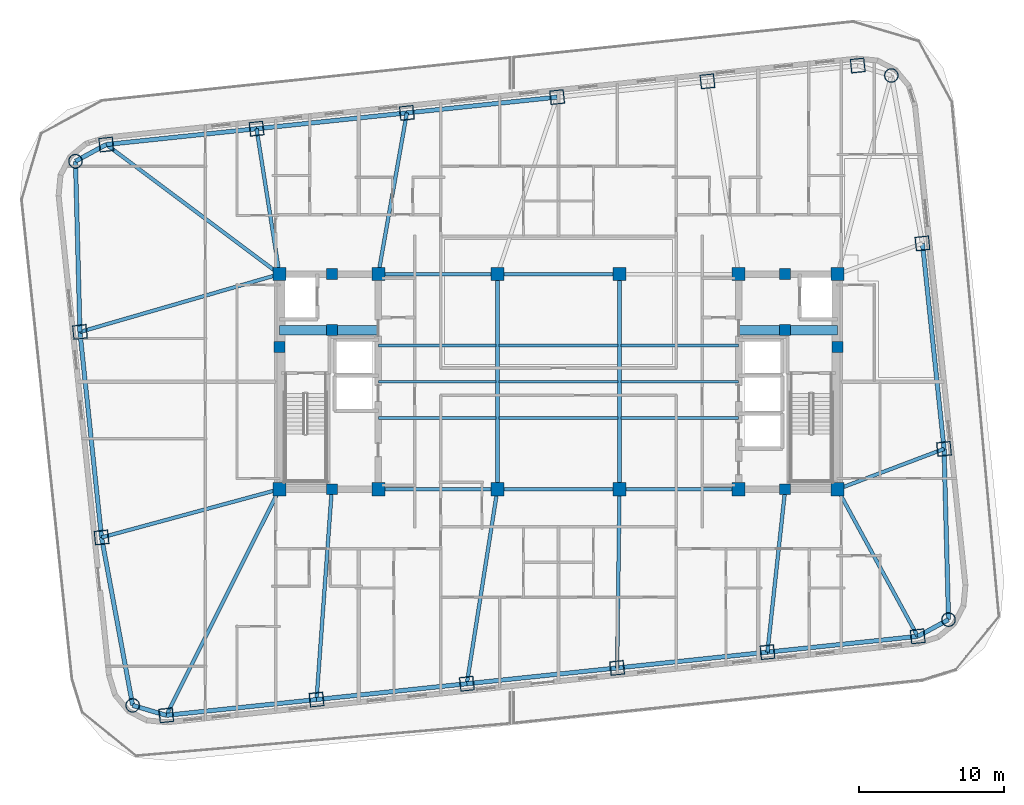
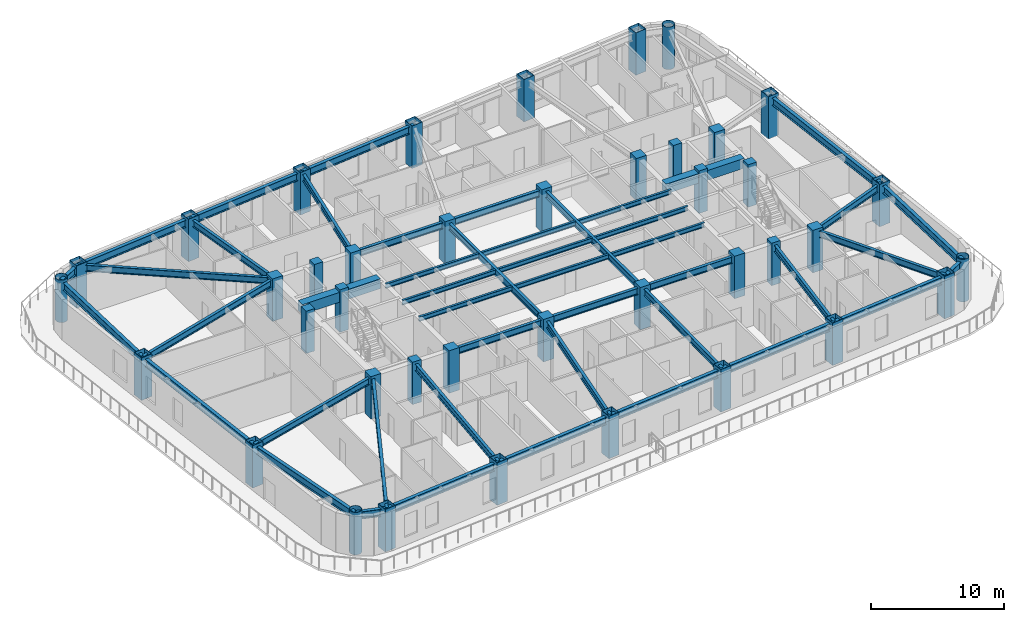
# One storey, part 1 of 15: 46 beams, 40 columns.
"""IFC4 building model written with IfcOpenShell, lengths in metres."""

from ifc_helpers import new_model, si_unit, direction, frame, origin, origin_2d, place, context, subcontext, project, spatial, rectangle, hollow_rectangle, hollow_circle, i_section, extrude, material, material_profile, profile_set, type_object, element, save


model = new_model("IFC4")

# Units and contexts
model_context = context("Model", 3, precision=1e-05, world=origin(), true_north=direction((0.0, 1.0)))
body_context = subcontext(model_context, "Body", "Model", "MODEL_VIEW")
ifc_project = project(units=[si_unit("LENGTHUNIT", "METRE"), si_unit("AREAUNIT", "SQUARE_METRE"), si_unit("VOLUMEUNIT", "CUBIC_METRE"), si_unit("PLANEANGLEUNIT", "RADIAN"), si_unit("MASSUNIT", "GRAM", prefix="KILO")], contexts=[model_context])

# Site, building, storey
site_placement = place(None, origin())
site = spatial("IfcSite", under=ifc_project, at=site_placement, CompositionType="ELEMENT")
building_placement = place(site_placement, origin())
building = spatial("IfcBuilding", under=site, at=building_placement, Name="Voryun Gate Residences", CompositionType="ELEMENT")
storey_placement = place(building_placement, frame((0.0, 0.0, 171.60009765625)))
storey = spatial("IfcBuildingStorey", under=building, at=storey_placement, Name="L42", CompositionType="ELEMENT", Elevation=171.60009765625)

# Columns
ifc_material_1 = material(Name="Concrete C50/60", Category="concrete")
ifc_material_profile_1 = material_profile(ifc_material_1, rectangle(XDim=0.75, YDim=0.75, at=origin_2d()), Name="RC-750x750")
ifc_profile_set_1 = profile_set([ifc_material_profile_1], Name="Concrete C50/60")
column_type_1 = type_object("IfcColumnType", Name="COL_CORE_750", PredefinedType="COLUMN", material=ifc_profile_set_1)
for number, where, z_axis, x_axis, name in (
    (1, (-19.199951171875, 2.39990234375, 0.0), (0.0, 0.0, 1.0), (1.0, 0.0, 0.0), "L42 Core boundary column WC-MW"),
    (2, (-15.60009765625, -7.39990234375, 0.0), (0.0, 0.0, 1.0), (1.0, 0.0, 0.0), "L42 Core boundary column WC-SM"),
    (3, (-15.60009765625, 7.39990234375, 0.0), (0.0, 0.0, 1.0), (1.0, 0.0, 0.0), "L42 Core boundary column WC-NM"),
    (4, (-15.60009765625, 3.550048828125, 0.0), (0.0, 0.0, 1.0), (1.0, 0.0, 0.0), "L42 Core boundary column WC-MM"),
    (5, (15.60009765625, 3.550048828125, 0.0), (0.0, 0.0, 1.0), (1.0, 0.0, 0.0), "L42 Core boundary column EC-MM"),
    (6, (15.60009765625, -7.39990234375, 0.0), (0.0, 0.0, 1.0), (1.0, 0.0, 0.0), "L42 Core boundary column EC-SM"),
    (7, (15.60009765625, 7.39990234375, 0.0), (0.0, 0.0, 1.0), (1.0, 0.0, 0.0), "L42 Core boundary column EC-NM"),
    (8, (19.199951171875, 2.39990234375, 0.0), (0.0, 0.0, 1.0), (1.0, 0.0, 0.0), "L42 Core boundary column EC-ME"),
):
    element("IfcColumn", number, at=place(storey_placement, frame(where, z_axis=z_axis, x_axis=x_axis)), inside=storey, type_object=column_type_1, Name=name, PredefinedType="COLUMN", context=body_context, shape_type="SweptSolid", body=[
        extrude(rectangle(XDim=0.75, YDim=0.75, at=origin_2d()), origin(), (0.0, 0.0, 1.0), 3.89990234375),
    ])
ifc_material_2 = material(Name="Concrete C50/60", Category="concrete")
ifc_material_profile_2 = material_profile(ifc_material_2, rectangle(XDim=0.89990234375, YDim=0.89990234375, at=origin_2d()), Name="RC-900x900")
ifc_profile_set_2 = profile_set([ifc_material_profile_2], Name="Concrete C50/60")
column_type_2 = type_object("IfcColumnType", Name="COL_CORE_900", PredefinedType="COLUMN", material=ifc_profile_set_2)
for number, where, z_axis, x_axis, name in (
    (9, (-19.199951171875, -7.39990234375, 0.0), (0.0, 0.0, 1.0), (1.0, 0.0, 0.0), "L42 Core boundary column WC-SW"),
    (10, (-19.199951171875, 7.39990234375, 0.0), (0.0, 0.0, 1.0), (1.0, 0.0, 0.0), "L42 Core boundary column WC-NW"),
    (11, (-12.39990234375, -7.39990234375, 0.0), (0.0, 0.0, 1.0), (1.0, 0.0, 0.0), "L42 Core boundary column WC-SE"),
    (12, (-12.39990234375, 7.39990234375, 0.0), (0.0, 0.0, 1.0), (1.0, 0.0, 0.0), "L42 Core boundary column WC-NE"),
    (13, (12.39990234375, -7.39990234375, 0.0), (0.0, 0.0, 1.0), (1.0, 0.0, 0.0), "L42 Core boundary column EC-SW"),
    (14, (12.39990234375, 7.39990234375, 0.0), (0.0, 0.0, 1.0), (1.0, 0.0, 0.0), "L42 Core boundary column EC-NW"),
    (15, (19.199951171875, -7.39990234375, 0.0), (0.0, 0.0, 1.0), (1.0, 0.0, 0.0), "L42 Core boundary column EC-SE"),
    (16, (19.199951171875, 7.39990234375, 0.0), (0.0, 0.0, 1.0), (1.0, 0.0, 0.0), "L42 Core boundary column EC-NE"),
    (17, (-4.199951171875, -7.39990234375, 0.0), (0.0, 0.0, 1.0), (1.0, 0.0, 0.0), "L42 Interior spine column SP-WS"),
    (18, (-4.199951171875, 7.39990234375, 0.0), (0.0, 0.0, 1.0), (1.0, 0.0, 0.0), "L42 Interior spine column SP-WN"),
    (19, (4.199951171875, -7.39990234375, 0.0), (0.0, 0.0, 1.0), (1.0, 0.0, 0.0), "L42 Interior spine column SP-ES"),
    (20, (4.199951171875, 7.39990234375, 0.0), (0.0, 0.0, 1.0), (1.0, 0.0, 0.0), "L42 Interior spine column SP-EN"),
):
    element("IfcColumn", number, at=place(storey_placement, frame(where, z_axis=z_axis, x_axis=x_axis)), inside=storey, type_object=column_type_2, Name=name, PredefinedType="COLUMN", context=body_context, shape_type="SweptSolid", body=[
        extrude(rectangle(XDim=0.89990234375, YDim=0.89990234375, at=origin_2d()), origin(), (0.0, 0.0, 1.0), 3.89990234375),
    ])
ifc_material_3 = material(Name="Steel SM420", Category="steel")
ifc_material_profile_3 = material_profile(ifc_material_3, hollow_circle(Radius=0.47509765625, WallThickness=0.031982421875, at=origin_2d()), Name="CHS-950x32")
ifc_profile_set_3 = profile_set([ifc_material_profile_3], Name="Steel SM420")
column_type_3 = type_object("IfcColumnType", Name="COL_CRN_950", PredefinedType="COLUMN", material=ifc_profile_set_3)
for number, where, z_axis, x_axis, name in (
    (21, (26.8408203125, -16.373779296875, 0.0), (0.0, 0.0, 1.0), (0.994521895368, 0.104528463268, 0.0), "L42 Exoskeleton column CSE"),
    (22, (22.90478515625, 21.07470703125, 0.0), (0.0, 0.0, 1.0), (0.994521895368, 0.104528463268, 0.0), "L42 Exoskeleton column CNE"),
    (23, (-33.24072265625, 15.173583984375, 0.0), (0.0, 0.0, 1.0), (0.994521895368, 0.104528463268, 0.0), "L42 Exoskeleton column CNW"),
    (24, (-29.3046875, -22.27490234375, 0.0), (0.0, 0.0, 1.0), (0.994521895368, 0.104528463268, 0.0), "L42 Exoskeleton column CSW"),
):
    element("IfcColumn", number, at=place(storey_placement, frame(where, z_axis=z_axis, x_axis=x_axis)), inside=storey, type_object=column_type_3, Name=name, PredefinedType="COLUMN", context=body_context, shape_type="SweptSolid", body=[
        extrude(hollow_circle(Radius=0.47509765625, WallThickness=0.031982421875, at=origin_2d()), origin(), (0.0, 0.0, 1.0), 3.89990234375),
    ])
ifc_material_4 = material(Name="Steel SM420", Category="steel")
ifc_material_profile_4 = material_profile(ifc_material_4, hollow_rectangle(XDim=0.949951171875, YDim=0.949951171875, WallThickness=0.031982421875, at=origin_2d()), Name="BOX-950x950x32")
ifc_profile_set_4 = profile_set([ifc_material_profile_4], Name="Steel SM420")
column_type_4 = type_object("IfcColumnType", Name="COL_EXO_B3", PredefinedType="COLUMN", material=ifc_profile_set_4)
for number, where, z_axis, x_axis, name in (
    (25, (-26.9931640625, -22.95947265625, 0.0), (0.0, 0.0, 1.0), (0.994521895368, 0.104528463268, 0.0), "L42 Exoskeleton column S1"),
    (26, (-16.650146484375, -21.87255859375, 0.0), (0.0, 0.0, 1.0), (0.994521895368, 0.104528463268, 0.0), "L42 Exoskeleton column S2"),
    (27, (-6.30712890625, -20.785400390625, 0.0), (0.0, 0.0, 1.0), (0.994521895368, 0.104528463268, 0.0), "L42 Exoskeleton column S3"),
    (28, (4.035888671875, -19.6982421875, 0.0), (0.0, 0.0, 1.0), (0.994521895368, 0.104528463268, 0.0), "L42 Exoskeleton column S4"),
    (29, (14.37890625, -18.611083984375, 0.0), (0.0, 0.0, 1.0), (0.994521895368, 0.104528463268, 0.0), "L42 Exoskeleton column S5"),
    (30, (24.721923828125, -17.524169921875, 0.0), (0.0, 0.0, 1.0), (0.994521895368, 0.104528463268, 0.0), "L42 Exoskeleton column S6"),
    (31, (26.533447265625, -4.6240234375, 0.0), (0.0, 0.0, 1.0), (0.994521895368, 0.104528463268, 0.0), "L42 Exoskeleton column E1"),
    (32, (25.047119140625, 9.51806640625, 0.0), (0.0, 0.0, 1.0), (0.994521895368, 0.104528463268, 0.0), "L42 Exoskeleton column E2"),
    (33, (20.593017578125, 21.759521484375, 0.0), (0.0, 0.0, 1.0), (0.994521895368, 0.104528463268, 0.0), "L42 Exoskeleton column N1"),
    (34, (10.25, 20.67236328125, 0.0), (0.0, 0.0, 1.0), (0.994521895368, 0.104528463268, 0.0), "L42 Exoskeleton column N2"),
    (35, (-0.093017578125, 19.58544921875, 0.0), (0.0, 0.0, 1.0), (0.994521895368, 0.104528463268, 0.0), "L42 Exoskeleton column N3"),
    (36, (-10.43603515625, 18.498291015625, 0.0), (0.0, 0.0, 1.0), (0.994521895368, 0.104528463268, 0.0), "L42 Exoskeleton column N4"),
    (37, (-20.779052734375, 17.4111328125, 0.0), (0.0, 0.0, 1.0), (0.994521895368, 0.104528463268, 0.0), "L42 Exoskeleton column N5"),
    (38, (-31.1220703125, 16.323974609375, 0.0), (0.0, 0.0, 1.0), (0.994521895368, 0.104528463268, 0.0), "L42 Exoskeleton column N6"),
    (39, (-32.93359375, 3.424072265625, 0.0), (0.0, 0.0, 1.0), (0.994521895368, 0.104528463268, 0.0), "L42 Exoskeleton column W1"),
    (40, (-31.447021484375, -10.718017578125, 0.0), (0.0, 0.0, 1.0), (0.994521895368, 0.104528463268, 0.0), "L42 Exoskeleton column W2"),
):
    element("IfcColumn", number, at=place(storey_placement, frame(where, z_axis=z_axis, x_axis=x_axis)), inside=storey, type_object=column_type_4, Name=name, PredefinedType="COLUMN", context=body_context, shape_type="SweptSolid", body=[
        extrude(hollow_rectangle(XDim=0.949951171875, YDim=0.949951171875, WallThickness=0.031982421875, at=origin_2d()), origin(), (0.0, 0.0, 1.0), 3.89990234375),
    ])

# Beams
ifc_material_5 = material(Name="Concrete C60/75", Category="concrete")
ifc_material_profile_5 = material_profile(ifc_material_5, rectangle(XDim=0.64990234375, YDim=0.89990234375, at=origin_2d()), Name="RC-650x900")
ifc_profile_set_5 = profile_set([ifc_material_profile_5], Name="Concrete C60/75")
beam_type_1 = type_object("IfcBeamType", Name="BM_COUP_RC900", PredefinedType="LINTEL", material=ifc_profile_set_5)
for number, where, z_axis, x_axis, name in (
    (41, (-19.199951171875, 3.550048828125, 3.199951171875), (1.0, 0.0, 0.0), (0.0, 1.0, 0.0), "BM-L42-WC1"),
    (42, (12.39990234375, 3.550048828125, 3.199951171875), (1.0, 0.0, 0.0), (0.0, 1.0, 0.0), "BM-L42-EC1"),
):
    element("IfcBeam", number, at=place(storey_placement, frame(where, z_axis=z_axis, x_axis=x_axis)), inside=storey, type_object=beam_type_1, Name=name, PredefinedType="LINTEL", context=body_context, shape_type="SweptSolid", body=[
        extrude(rectangle(XDim=0.64990234375, YDim=0.89990234375, at=origin_2d()), origin(), (0.0, 0.0, 1.0), 6.800048828125),
    ])
ifc_material_6 = material(Name="Steel SM355", Category="steel")
ifc_material_profile_6 = material_profile(ifc_material_6, i_section(OverallWidth=0.300048828125, OverallDepth=0.679931640625, WebThickness=0.013916015625, FlangeThickness=0.02490234375, FilletRadius=0.01806640625, at=origin_2d()), Name="H-680x300x14x25")
ifc_profile_set_6 = profile_set([ifc_material_profile_6], Name="Steel SM355")
beam_type_2 = type_object("IfcBeamType", Name="BM_EXO_SPANDREL_M", PredefinedType="SPANDREL", material=ifc_profile_set_6)
for number, where, z_axis, x_axis, name in (
    (43, (-26.9931640625, -22.95947265625, 3.309814453125), (0.99452370336, 0.10451125994, 0.0), (-0.10451125994, 0.99452370336, 0.0), "BM-L42-SPAND-01"),
    (44, (-16.650146484375, -21.87255859375, 3.309814453125), (0.994521263116, 0.104534478571, 0.0), (-0.104534478571, 0.994521263116, 0.0), "BM-L42-SPAND-02"),
    (45, (-6.30712890625, -20.785400390625, 3.309814453125), (0.994521263116, 0.104534478571, 0.0), (-0.104534478571, 0.994521263116, 0.0), "BM-L42-SPAND-03"),
    (46, (4.035888671875, -19.6982421875, 3.309814453125), (0.994521263116, 0.104534478571, 0.0), (-0.104534478571, 0.994521263116, 0.0), "BM-L42-SPAND-04"),
    (47, (14.37890625, -18.611083984375, 3.309814453125), (0.99452370336, 0.10451125994, 0.0), (-0.10451125994, 0.99452370336, 0.0), "BM-L42-SPAND-05"),
):
    element("IfcBeam", number, at=place(storey_placement, frame(where, z_axis=z_axis, x_axis=x_axis)), inside=storey, type_object=beam_type_2, Name=name, PredefinedType="SPANDREL", context=body_context, shape_type="SweptSolid", body=[
        extrude(i_section(OverallWidth=0.300048828125, OverallDepth=0.679931640625, WebThickness=0.013916015625, FlangeThickness=0.02490234375, FilletRadius=0.01806640625, at=origin_2d()), origin(), (0.0, 0.0, 1.0), 10.39990234375),
    ])
beam_1_placement = place(storey_placement, frame((24.721923828125, -17.524169921875, 3.309814453125), z_axis=(0.878830382314, 0.477134319791, 0.0), x_axis=(-0.477134319791, 0.878830382314, 0.0)))
element("IfcBeam", 48, at=beam_1_placement, inside=storey, type_object=beam_type_2, Name="BM-L42-SPAND-06", PredefinedType="SPANDREL", context=body_context, shape_type="SweptSolid", body=[
    extrude(i_section(OverallWidth=0.300048828125, OverallDepth=0.679931640625, WebThickness=0.013916015625, FlangeThickness=0.02490234375, FilletRadius=0.01806640625, at=origin_2d()), origin(), (0.0, 0.0, 1.0), 2.4111328125),
])
beam_2_placement = place(storey_placement, frame((26.8408203125, -16.373779296875, 3.309814453125), z_axis=(-0.026151005195, 0.999658003983, 0.0), x_axis=(-0.999658003983, -0.026151005195, 0.0)))
element("IfcBeam", 49, at=beam_2_placement, inside=storey, type_object=beam_type_2, Name="BM-L42-SPAND-07", PredefinedType="SPANDREL", context=body_context, shape_type="SweptSolid", body=[
    extrude(i_section(OverallWidth=0.300048828125, OverallDepth=0.679931640625, WebThickness=0.013916015625, FlangeThickness=0.02490234375, FilletRadius=0.01806640625, at=origin_2d()), origin(), (0.0, 0.0, 1.0), 11.753662109375),
])
beam_3_placement = place(storey_placement, frame((26.533447265625, -4.6240234375, 3.309814453125), z_axis=(-0.104523913446, 0.994522373563, 0.0), x_axis=(-0.994522373563, -0.104523913446, 0.0)))
element("IfcBeam", 50, at=beam_3_placement, inside=storey, type_object=beam_type_2, Name="BM-L42-SPAND-08", PredefinedType="SPANDREL", context=body_context, shape_type="SweptSolid", body=[
    extrude(i_section(OverallWidth=0.300048828125, OverallDepth=0.679931640625, WebThickness=0.013916015625, FlangeThickness=0.02490234375, FilletRadius=0.01806640625, at=origin_2d()), origin(), (0.0, 0.0, 1.0), 14.219970703125),
])
for number, where, z_axis, x_axis, name in (
    (51, (-0.093017578125, 19.58544921875, 3.309814453125), (-0.994521263116, -0.104534478571, 0.0), (0.104534478571, -0.994521263116, 0.0), "BM-L42-SPAND-13"),
    (52, (-10.43603515625, 18.498291015625, 3.309814453125), (-0.994521263116, -0.104534478571, 0.0), (0.104534478571, -0.994521263116, 0.0), "BM-L42-SPAND-14"),
    (53, (-20.779052734375, 17.4111328125, 3.309814453125), (-0.994521263116, -0.104534478571, 0.0), (0.104534478571, -0.994521263116, 0.0), "BM-L42-SPAND-15"),
):
    element("IfcBeam", number, at=place(storey_placement, frame(where, z_axis=z_axis, x_axis=x_axis)), inside=storey, type_object=beam_type_2, Name=name, PredefinedType="SPANDREL", context=body_context, shape_type="SweptSolid", body=[
        extrude(i_section(OverallWidth=0.300048828125, OverallDepth=0.679931640625, WebThickness=0.013916015625, FlangeThickness=0.02490234375, FilletRadius=0.01806640625, at=origin_2d()), origin(), (0.0, 0.0, 1.0), 10.39990234375),
    ])
beam_4_placement = place(storey_placement, frame((-31.1220703125, 16.323974609375, 3.309814453125), z_axis=(-0.878807326808, -0.47717678312, 0.0), x_axis=(0.47717678312, -0.878807326808, 0.0)))
element("IfcBeam", 54, at=beam_4_placement, inside=storey, type_object=beam_type_2, Name="BM-L42-SPAND-16", PredefinedType="SPANDREL", context=body_context, shape_type="SweptSolid", body=[
    extrude(i_section(OverallWidth=0.300048828125, OverallDepth=0.679931640625, WebThickness=0.013916015625, FlangeThickness=0.02490234375, FilletRadius=0.01806640625, at=origin_2d()), origin(), (0.0, 0.0, 1.0), 2.410888671875),
])
beam_5_placement = place(storey_placement, frame((-33.24072265625, 15.173583984375, 3.309814453125), z_axis=(0.026130790716, -0.999658532588, 0.0), x_axis=(0.999658532588, 0.026130790716, 0.0)))
element("IfcBeam", 55, at=beam_5_placement, inside=storey, type_object=beam_type_2, Name="BM-L42-SPAND-17", PredefinedType="SPANDREL", context=body_context, shape_type="SweptSolid", body=[
    extrude(i_section(OverallWidth=0.300048828125, OverallDepth=0.679931640625, WebThickness=0.013916015625, FlangeThickness=0.02490234375, FilletRadius=0.01806640625, at=origin_2d()), origin(), (0.0, 0.0, 1.0), 11.75341796875),
])
beam_6_placement = place(storey_placement, frame((-32.93359375, 3.424072265625, 3.309814453125), z_axis=(0.104540894669, -0.994520588697, 0.0), x_axis=(0.994520588697, 0.104540894669, 0.0)))
element("IfcBeam", 56, at=beam_6_placement, inside=storey, type_object=beam_type_2, Name="BM-L42-SPAND-18", PredefinedType="SPANDREL", context=body_context, shape_type="SweptSolid", body=[
    extrude(i_section(OverallWidth=0.300048828125, OverallDepth=0.679931640625, WebThickness=0.013916015625, FlangeThickness=0.02490234375, FilletRadius=0.01806640625, at=origin_2d()), origin(), (0.0, 0.0, 1.0), 14.219970703125),
])
beam_7_placement = place(storey_placement, frame((-31.447021484375, -10.718017578125, 3.309814453125), z_axis=(0.182267768769, -0.983248931079, 0.0), x_axis=(0.983248931079, 0.182267768769, 0.0)))
element("IfcBeam", 57, at=beam_7_placement, inside=storey, type_object=beam_type_2, Name="BM-L42-SPAND-19", PredefinedType="SPANDREL", context=body_context, shape_type="SweptSolid", body=[
    extrude(i_section(OverallWidth=0.300048828125, OverallDepth=0.679931640625, WebThickness=0.013916015625, FlangeThickness=0.02490234375, FilletRadius=0.01806640625, at=origin_2d()), origin(), (0.0, 0.0, 1.0), 11.753662109375),
])
beam_8_placement = place(storey_placement, frame((-29.3046875, -22.27490234375, 3.309814453125), z_axis=(0.958834884093, -0.283964196768, 0.0), x_axis=(0.283964196768, 0.958834884093, 0.0)))
element("IfcBeam", 58, at=beam_8_placement, inside=storey, type_object=beam_type_2, Name="BM-L42-SPAND-20", PredefinedType="SPANDREL", context=body_context, shape_type="SweptSolid", body=[
    extrude(i_section(OverallWidth=0.300048828125, OverallDepth=0.679931640625, WebThickness=0.013916015625, FlangeThickness=0.02490234375, FilletRadius=0.01806640625, at=origin_2d()), origin(), (0.0, 0.0, 1.0), 2.41064453125),
])
ifc_material_7 = material(Name="Steel SM355", Category="steel")
ifc_material_profile_7 = material_profile(ifc_material_7, i_section(OverallWidth=0.25, OverallDepth=0.60009765625, WebThickness=0.011962890625, FlangeThickness=0.02197265625, FilletRadius=0.01806640625, at=origin_2d()), Name="H-600x250x12x22")
ifc_profile_set_7 = profile_set([ifc_material_profile_7], Name="Steel SM355")
beam_type_3 = type_object("IfcBeamType", Name="BM_GIRD_600", PredefinedType="USERDEFINED", material=ifc_profile_set_7)
beam_9_placement = place(storey_placement, frame((-12.39990234375, -7.39990234375, 3.349853515625), z_axis=(1.0, 0.0, 0.0), x_axis=(0.0, 1.0, 0.0)))
element("IfcBeam", 59, at=beam_9_placement, inside=storey, type_object=beam_type_3, Name="BM-L42-SPG1-S", ObjectType="GIRDER", PredefinedType="USERDEFINED", context=body_context, shape_type="SweptSolid", body=[
    extrude(i_section(OverallWidth=0.25, OverallDepth=0.60009765625, WebThickness=0.011962890625, FlangeThickness=0.02197265625, FilletRadius=0.01806640625, at=origin_2d()), origin(), (0.0, 0.0, 1.0), 8.199951171875),
])
beam_10_placement = place(storey_placement, frame((-4.199951171875, -7.39990234375, 3.349853515625), z_axis=(1.0, 0.0, 0.0), x_axis=(0.0, 1.0, 0.0)))
element("IfcBeam", 60, at=beam_10_placement, inside=storey, type_object=beam_type_3, Name="BM-L42-SPG2-S", ObjectType="GIRDER", PredefinedType="USERDEFINED", context=body_context, shape_type="SweptSolid", body=[
    extrude(i_section(OverallWidth=0.25, OverallDepth=0.60009765625, WebThickness=0.011962890625, FlangeThickness=0.02197265625, FilletRadius=0.01806640625, at=origin_2d()), origin(), (0.0, 0.0, 1.0), 8.39990234375),
])
for number, where, z_axis, x_axis, name in (
    (61, (4.199951171875, -7.39990234375, 3.349853515625), (1.0, 0.0, 0.0), (0.0, 1.0, 0.0), "BM-L42-SPG3-S"),
    (62, (-12.39990234375, 7.39990234375, 3.349853515625), (1.0, 0.0, 0.0), (0.0, 1.0, 0.0), "BM-L42-SPG1-N"),
):
    element("IfcBeam", number, at=place(storey_placement, frame(where, z_axis=z_axis, x_axis=x_axis)), inside=storey, type_object=beam_type_3, Name=name, ObjectType="GIRDER", PredefinedType="USERDEFINED", context=body_context, shape_type="SweptSolid", body=[
        extrude(i_section(OverallWidth=0.25, OverallDepth=0.60009765625, WebThickness=0.011962890625, FlangeThickness=0.02197265625, FilletRadius=0.01806640625, at=origin_2d()), origin(), (0.0, 0.0, 1.0), 8.199951171875),
    ])
beam_11_placement = place(storey_placement, frame((-4.199951171875, 7.39990234375, 3.349853515625), z_axis=(1.0, 0.0, 0.0), x_axis=(0.0, 1.0, 0.0)))
element("IfcBeam", 63, at=beam_11_placement, inside=storey, type_object=beam_type_3, Name="BM-L42-SPG2-N", ObjectType="GIRDER", PredefinedType="USERDEFINED", context=body_context, shape_type="SweptSolid", body=[
    extrude(i_section(OverallWidth=0.25, OverallDepth=0.60009765625, WebThickness=0.011962890625, FlangeThickness=0.02197265625, FilletRadius=0.01806640625, at=origin_2d()), origin(), (0.0, 0.0, 1.0), 8.39990234375),
])
for number, where, z_axis, x_axis, name in (
    (64, (-4.199951171875, -7.39990234375, 3.349853515625), (0.0, 1.0, 0.0), (-1.0, 0.0, 0.0), "BM-L42-SPX-W"),
    (65, (4.199951171875, -7.39990234375, 3.349853515625), (0.0, 1.0, 0.0), (-1.0, 0.0, 0.0), "BM-L42-SPX-E"),
):
    element("IfcBeam", number, at=place(storey_placement, frame(where, z_axis=z_axis, x_axis=x_axis)), inside=storey, type_object=beam_type_3, Name=name, ObjectType="GIRDER", PredefinedType="USERDEFINED", context=body_context, shape_type="SweptSolid", body=[
        extrude(i_section(OverallWidth=0.25, OverallDepth=0.60009765625, WebThickness=0.011962890625, FlangeThickness=0.02197265625, FilletRadius=0.01806640625, at=origin_2d()), origin(), (0.0, 0.0, 1.0), 14.7998046875),
    ])
beam_12_placement = place(storey_placement, frame((-19.199951171875, -7.39990234375, 3.349853515625), z_axis=(-0.447830780254, -0.894118332357, 0.0), x_axis=(0.894118332357, -0.447830780254, 0.0)))
element("IfcBeam", 66, at=beam_12_placement, inside=storey, type_object=beam_type_3, Name="BM-L42-RAD-S1", ObjectType="GIRDER", PredefinedType="USERDEFINED", context=body_context, shape_type="SweptSolid", body=[
    extrude(i_section(OverallWidth=0.25, OverallDepth=0.60009765625, WebThickness=0.011962890625, FlangeThickness=0.02197265625, FilletRadius=0.01806640625, at=origin_2d()), origin(), (0.0, 0.0, 1.0), 17.402099609375),
])
beam_13_placement = place(storey_placement, frame((-15.60009765625, -7.39990234375, 3.349853515625), z_axis=(-0.072363766769, -0.99737830599, 0.0), x_axis=(0.99737830599, -0.072363766769, 0.0)))
element("IfcBeam", 67, at=beam_13_placement, inside=storey, type_object=beam_type_3, Name="BM-L42-RAD-S2", ObjectType="GIRDER", PredefinedType="USERDEFINED", context=body_context, shape_type="SweptSolid", body=[
    extrude(i_section(OverallWidth=0.25, OverallDepth=0.60009765625, WebThickness=0.011962890625, FlangeThickness=0.02197265625, FilletRadius=0.01806640625, at=origin_2d()), origin(), (0.0, 0.0, 1.0), 14.5107421875),
])
beam_14_placement = place(storey_placement, frame((-4.199951171875, -7.39990234375, 3.349853515625), z_axis=(-0.155507352157, -0.987834734875, 0.0), x_axis=(0.987834734875, -0.155507352157, 0.0)))
element("IfcBeam", 68, at=beam_14_placement, inside=storey, type_object=beam_type_3, Name="BM-L42-RAD-S3", ObjectType="GIRDER", PredefinedType="USERDEFINED", context=body_context, shape_type="SweptSolid", body=[
    extrude(i_section(OverallWidth=0.25, OverallDepth=0.60009765625, WebThickness=0.011962890625, FlangeThickness=0.02197265625, FilletRadius=0.01806640625, at=origin_2d()), origin(), (0.0, 0.0, 1.0), 13.55029296875),
])
beam_15_placement = place(storey_placement, frame((4.199951171875, -7.39990234375, 3.349853515625), z_axis=(-0.013339028327, -0.999911031204, 0.0), x_axis=(0.999911031204, -0.013339028327, 0.0)))
element("IfcBeam", 69, at=beam_15_placement, inside=storey, type_object=beam_type_3, Name="BM-L42-RAD-S4", ObjectType="GIRDER", PredefinedType="USERDEFINED", context=body_context, shape_type="SweptSolid", body=[
    extrude(i_section(OverallWidth=0.25, OverallDepth=0.60009765625, WebThickness=0.011962890625, FlangeThickness=0.02197265625, FilletRadius=0.01806640625, at=origin_2d()), origin(), (0.0, 0.0, 1.0), 12.29931640625),
])
beam_16_placement = place(storey_placement, frame((15.60009765625, -7.39990234375, 3.349853515625), z_axis=(-0.108285693252, -0.994119816037, 0.0), x_axis=(0.994119816037, -0.108285693252, 0.0)))
element("IfcBeam", 70, at=beam_16_placement, inside=storey, type_object=beam_type_3, Name="BM-L42-RAD-S5", ObjectType="GIRDER", PredefinedType="USERDEFINED", context=body_context, shape_type="SweptSolid", body=[
    extrude(i_section(OverallWidth=0.25, OverallDepth=0.60009765625, WebThickness=0.011962890625, FlangeThickness=0.02197265625, FilletRadius=0.01806640625, at=origin_2d()), origin(), (0.0, 0.0, 1.0), 11.277587890625),
])
beam_17_placement = place(storey_placement, frame((19.199951171875, -7.39990234375, 3.349853515625), z_axis=(0.478828398266, -0.877908517451, 0.0), x_axis=(0.877908517451, 0.478828398266, 0.0)))
element("IfcBeam", 71, at=beam_17_placement, inside=storey, type_object=beam_type_3, Name="BM-L42-RAD-S6", ObjectType="GIRDER", PredefinedType="USERDEFINED", context=body_context, shape_type="SweptSolid", body=[
    extrude(i_section(OverallWidth=0.25, OverallDepth=0.60009765625, WebThickness=0.011962890625, FlangeThickness=0.02197265625, FilletRadius=0.01806640625, at=origin_2d()), origin(), (0.0, 0.0, 1.0), 11.5322265625),
])
beam_18_placement = place(storey_placement, frame((19.199951171875, -7.39990234375, 3.349853515625), z_axis=(0.93524224301, 0.354008399462, 0.0), x_axis=(-0.354008399462, 0.93524224301, 0.0)))
element("IfcBeam", 72, at=beam_18_placement, inside=storey, type_object=beam_type_3, Name="BM-L42-RAD-E1", ObjectType="GIRDER", PredefinedType="USERDEFINED", context=body_context, shape_type="SweptSolid", body=[
    extrude(i_section(OverallWidth=0.25, OverallDepth=0.60009765625, WebThickness=0.011962890625, FlangeThickness=0.02197265625, FilletRadius=0.01806640625, at=origin_2d()), origin(), (0.0, 0.0, 1.0), 7.84130859375),
])
beam_19_placement = place(storey_placement, frame((-12.39990234375, 7.39990234375, 3.349853515625), z_axis=(0.174243764839, 0.984702549207, 0.0), x_axis=(-0.984702549207, 0.174243764839, 0.0)))
element("IfcBeam", 73, at=beam_19_placement, inside=storey, type_object=beam_type_3, Name="BM-L42-RAD-N4", ObjectType="GIRDER", PredefinedType="USERDEFINED", context=body_context, shape_type="SweptSolid", body=[
    extrude(i_section(OverallWidth=0.25, OverallDepth=0.60009765625, WebThickness=0.011962890625, FlangeThickness=0.02197265625, FilletRadius=0.01806640625, at=origin_2d()), origin(), (0.0, 0.0, 1.0), 11.270751953125),
])
beam_20_placement = place(storey_placement, frame((-19.199951171875, 7.39990234375, 3.349853515625), z_axis=(-0.155806710133, 0.987787562727, 0.0), x_axis=(-0.987787562727, -0.155806710133, 0.0)))
element("IfcBeam", 74, at=beam_20_placement, inside=storey, type_object=beam_type_3, Name="BM-L42-RAD-N5", ObjectType="GIRDER", PredefinedType="USERDEFINED", context=body_context, shape_type="SweptSolid", body=[
    extrude(i_section(OverallWidth=0.25, OverallDepth=0.60009765625, WebThickness=0.011962890625, FlangeThickness=0.02197265625, FilletRadius=0.01806640625, at=origin_2d()), origin(), (0.0, 0.0, 1.0), 10.135009765625),
])
beam_21_placement = place(storey_placement, frame((-19.199951171875, 7.39990234375, 3.349853515625), z_axis=(-0.800564252374, 0.599246925583, 0.0), x_axis=(-0.599246925583, -0.800564252374, 0.0)))
element("IfcBeam", 75, at=beam_21_placement, inside=storey, type_object=beam_type_3, Name="BM-L42-RAD-N6", ObjectType="GIRDER", PredefinedType="USERDEFINED", context=body_context, shape_type="SweptSolid", body=[
    extrude(i_section(OverallWidth=0.25, OverallDepth=0.60009765625, WebThickness=0.011962890625, FlangeThickness=0.02197265625, FilletRadius=0.01806640625, at=origin_2d()), origin(), (0.0, 0.0, 1.0), 14.89208984375),
])
beam_22_placement = place(storey_placement, frame((-19.199951171875, 7.39990234375, 3.349853515625), z_axis=(-0.960558623239, -0.278077563498, 0.0), x_axis=(0.278077563498, -0.960558623239, 0.0)))
element("IfcBeam", 76, at=beam_22_placement, inside=storey, type_object=beam_type_3, Name="BM-L42-RAD-W1", ObjectType="GIRDER", PredefinedType="USERDEFINED", context=body_context, shape_type="SweptSolid", body=[
    extrude(i_section(OverallWidth=0.25, OverallDepth=0.60009765625, WebThickness=0.011962890625, FlangeThickness=0.02197265625, FilletRadius=0.01806640625, at=origin_2d()), origin(), (0.0, 0.0, 1.0), 14.297607421875),
])
beam_23_placement = place(storey_placement, frame((-19.199951171875, -7.39990234375, 3.349853515625), z_axis=(-0.965202497616, -0.261503611058, 0.0), x_axis=(0.261503611058, -0.965202497616, 0.0)))
element("IfcBeam", 77, at=beam_23_placement, inside=storey, type_object=beam_type_3, Name="BM-L42-RAD-W2", ObjectType="GIRDER", PredefinedType="USERDEFINED", context=body_context, shape_type="SweptSolid", body=[
    extrude(i_section(OverallWidth=0.25, OverallDepth=0.60009765625, WebThickness=0.011962890625, FlangeThickness=0.02197265625, FilletRadius=0.01806640625, at=origin_2d()), origin(), (0.0, 0.0, 1.0), 12.688720703125),
])
ifc_material_8 = material(Name="Steel SM355", Category="steel")
ifc_material_profile_8 = material_profile(ifc_material_8, i_section(OverallWidth=0.18994140625, OverallDepth=0.419921875, WebThickness=0.009033203125, FlangeThickness=0.01611328125, FilletRadius=0.01806640625, at=origin_2d()), Name="H-420x190x9x16")
ifc_profile_set_8 = profile_set([ifc_material_profile_8], Name="Steel SM355")
beam_type_4 = type_object("IfcBeamType", Name="BM_SEC_420", PredefinedType="BEAM", material=ifc_profile_set_8)
beam_24_placement = place(storey_placement, frame((-12.39990234375, -2.5, 3.43994140625), z_axis=(1.0, 0.0, 0.0), x_axis=(0.0, 1.0, 0.0)))
element("IfcBeam", 78, at=beam_24_placement, inside=storey, type_object=beam_type_4, Name="BM-L42-SEC-CS1", PredefinedType="BEAM", context=body_context, shape_type="SweptSolid", body=[
    extrude(i_section(OverallWidth=0.18994140625, OverallDepth=0.419921875, WebThickness=0.009033203125, FlangeThickness=0.01611328125, FilletRadius=0.01806640625, at=origin_2d()), origin(), (0.0, 0.0, 1.0), 8.099853515625),
])
beam_25_placement = place(storey_placement, frame((-4.10009765625, -2.5, 3.43994140625), z_axis=(1.0, 0.0, 0.0), x_axis=(0.0, 1.0, 0.0)))
element("IfcBeam", 79, at=beam_25_placement, inside=storey, type_object=beam_type_4, Name="BM-L42-SEC-CS2", PredefinedType="BEAM", context=body_context, shape_type="SweptSolid", body=[
    extrude(i_section(OverallWidth=0.18994140625, OverallDepth=0.419921875, WebThickness=0.009033203125, FlangeThickness=0.01611328125, FilletRadius=0.01806640625, at=origin_2d()), origin(), (0.0, 0.0, 1.0), 8.2001953125),
])
for number, where, z_axis, x_axis, name in (
    (80, (4.300048828125, -2.5, 3.43994140625), (1.0, 0.0, 0.0), (0.0, 1.0, 0.0), "BM-L42-SEC-CS3"),
    (81, (-12.39990234375, 0.0, 3.43994140625), (1.0, 0.0, 0.0), (0.0, 1.0, 0.0), "BM-L42-SEC-CM1"),
):
    element("IfcBeam", number, at=place(storey_placement, frame(where, z_axis=z_axis, x_axis=x_axis)), inside=storey, type_object=beam_type_4, Name=name, PredefinedType="BEAM", context=body_context, shape_type="SweptSolid", body=[
        extrude(i_section(OverallWidth=0.18994140625, OverallDepth=0.419921875, WebThickness=0.009033203125, FlangeThickness=0.01611328125, FilletRadius=0.01806640625, at=origin_2d()), origin(), (0.0, 0.0, 1.0), 8.099853515625),
    ])
beam_26_placement = place(storey_placement, frame((-4.10009765625, 0.0, 3.43994140625), z_axis=(1.0, 0.0, 0.0), x_axis=(0.0, 1.0, 0.0)))
element("IfcBeam", 82, at=beam_26_placement, inside=storey, type_object=beam_type_4, Name="BM-L42-SEC-CM2", PredefinedType="BEAM", context=body_context, shape_type="SweptSolid", body=[
    extrude(i_section(OverallWidth=0.18994140625, OverallDepth=0.419921875, WebThickness=0.009033203125, FlangeThickness=0.01611328125, FilletRadius=0.01806640625, at=origin_2d()), origin(), (0.0, 0.0, 1.0), 8.2001953125),
])
for number, where, z_axis, x_axis, name in (
    (83, (4.300048828125, 0.0, 3.43994140625), (1.0, 0.0, 0.0), (0.0, 1.0, 0.0), "BM-L42-SEC-CM3"),
    (84, (-12.39990234375, 2.5, 3.43994140625), (1.0, 0.0, 0.0), (0.0, 1.0, 0.0), "BM-L42-SEC-CN1"),
):
    element("IfcBeam", number, at=place(storey_placement, frame(where, z_axis=z_axis, x_axis=x_axis)), inside=storey, type_object=beam_type_4, Name=name, PredefinedType="BEAM", context=body_context, shape_type="SweptSolid", body=[
        extrude(i_section(OverallWidth=0.18994140625, OverallDepth=0.419921875, WebThickness=0.009033203125, FlangeThickness=0.01611328125, FilletRadius=0.01806640625, at=origin_2d()), origin(), (0.0, 0.0, 1.0), 8.099853515625),
    ])
beam_27_placement = place(storey_placement, frame((-4.10009765625, 2.5, 3.43994140625), z_axis=(1.0, 0.0, 0.0), x_axis=(0.0, 1.0, 0.0)))
element("IfcBeam", 85, at=beam_27_placement, inside=storey, type_object=beam_type_4, Name="BM-L42-SEC-CN2", PredefinedType="BEAM", context=body_context, shape_type="SweptSolid", body=[
    extrude(i_section(OverallWidth=0.18994140625, OverallDepth=0.419921875, WebThickness=0.009033203125, FlangeThickness=0.01611328125, FilletRadius=0.01806640625, at=origin_2d()), origin(), (0.0, 0.0, 1.0), 8.2001953125),
])
beam_28_placement = place(storey_placement, frame((4.300048828125, 2.5, 3.43994140625), z_axis=(1.0, 0.0, 0.0), x_axis=(0.0, 1.0, 0.0)))
element("IfcBeam", 86, at=beam_28_placement, inside=storey, type_object=beam_type_4, Name="BM-L42-SEC-CN3", PredefinedType="BEAM", context=body_context, shape_type="SweptSolid", body=[
    extrude(i_section(OverallWidth=0.18994140625, OverallDepth=0.419921875, WebThickness=0.009033203125, FlangeThickness=0.01611328125, FilletRadius=0.01806640625, at=origin_2d()), origin(), (0.0, 0.0, 1.0), 8.099853515625),
])

save(model, "model.ifc")
